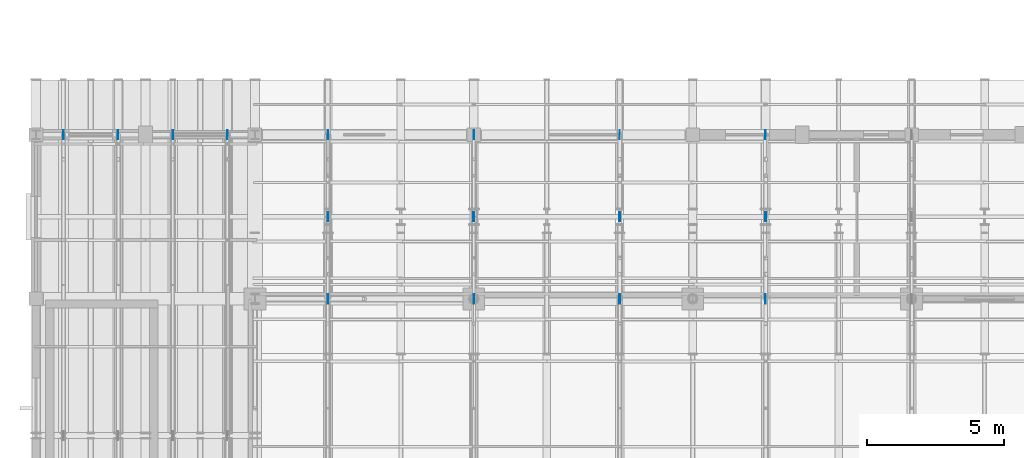
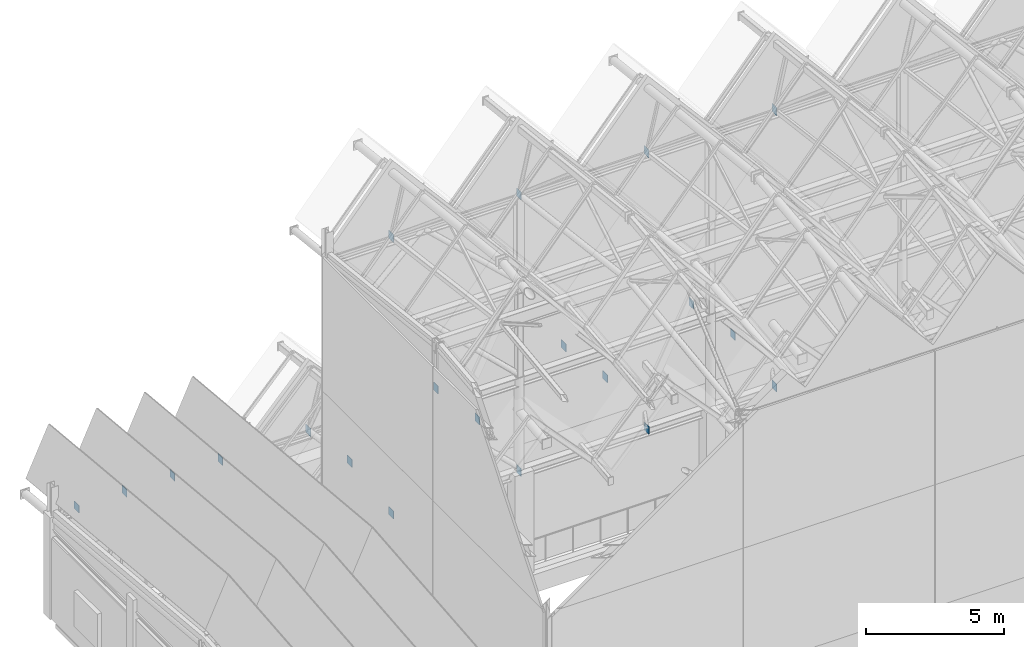
# One storey, part 26 of 48: 20 plates.
"""IFC4 building model written with IfcOpenShell, lengths in metres."""

from ifc_helpers import new_model, si_unit, direction, frame, origin, origin_2d, place, context, subcontext, project, spatial, rectangle, extrude, material, layer, layer_set, type_object, element, save


model = new_model("IFC4")

# Units and contexts
model_context = context("Model", 3, precision=1e-05, world=origin(), true_north=direction((0.0, 1.0)))
body_context = subcontext(model_context, "Body", "Model", "MODEL_VIEW")
ifc_project = project(units=[si_unit("LENGTHUNIT", "METRE"), si_unit("AREAUNIT", "SQUARE_METRE"), si_unit("VOLUMEUNIT", "CUBIC_METRE"), si_unit("PLANEANGLEUNIT", "RADIAN"), si_unit("MASSUNIT", "GRAM", prefix="KILO")], contexts=[model_context])

# Site, building, storey
site_placement = place(None, origin())
site = spatial("IfcSite", under=ifc_project, at=site_placement, CompositionType="ELEMENT")
building_placement = place(site_placement, origin())
building = spatial("IfcBuilding", under=site, at=building_placement, Name="Luwemba Playhouse", CompositionType="ELEMENT")
storey_placement = place(building_placement, frame((0.0, 0.0, 13.800048828125)))
storey = spatial("IfcBuildingStorey", under=building, at=storey_placement, Name="L03", CompositionType="ELEMENT", Elevation=13.800048828125)

# Plates
ifc_material = material(Name="Steel S355", Category="steel")
ifc_layer_1 = layer(ifc_material, 0.01611328125)
ifc_layer_set_1 = layer_set([ifc_layer_1], Name="Steel S355")
plate_type_1 = type_object("IfcPlateType", Name="PLT-GP1", PredefinedType="USERDEFINED", material=ifc_layer_set_1)
for number, where, z_axis, x_axis, name in (
    (1, (14.666748046875, 84.0, 16.4296875), (0.0, 0.0, 1.0), (1.0, 0.0, 0.0), "Truss node gusset cap plate 0024"),
    (2, (20.0, 84.0, 16.4296875), (0.0, 0.0, 1.0), (1.0, 0.0, 0.0), "Truss node gusset cap plate 0027"),
    (3, (25.333251953125, 84.0, 16.4296875), (0.0, 0.0, 1.0), (1.0, 0.0, 0.0), "Truss node gusset cap plate 0030"),
    (4, (30.666748046875, 84.0, 16.4296875), (0.0, 0.0, 1.0), (1.0, 0.0, 0.0), "Truss node gusset cap plate 0033"),
    (5, (5.0, 90.0, 4.22998046875), (0.0, 0.0, 1.0), (1.0, 0.0, 0.0), "Truss node gusset cap plate 0042"),
    (6, (7.0, 90.0, 4.22998046875), (0.0, 0.0, 1.0), (1.0, 0.0, 0.0), "Truss node gusset cap plate 0045"),
    (7, (9.0, 90.0, 4.22998046875), (0.0, 0.0, 1.0), (1.0, 0.0, 0.0), "Truss node gusset cap plate 0048"),
    (8, (11.0, 90.0, 4.22998046875), (0.0, 0.0, 1.0), (1.0, 0.0, 0.0), "Truss node gusset cap plate 0051"),
    (9, (14.666748046875, 90.0, 4.22998046875), (0.0, 0.0, 1.0), (1.0, 0.0, 0.0), "Truss node gusset cap plate 0054"),
    (10, (20.0, 90.0, 4.22998046875), (0.0, 0.0, 1.0), (1.0, 0.0, 0.0), "Truss node gusset cap plate 0057"),
    (11, (25.333251953125, 90.0, 4.22998046875), (0.0, 0.0, 1.0), (1.0, 0.0, 0.0), "Truss node gusset cap plate 0060"),
    (12, (30.666748046875, 90.0, 4.22998046875), (0.0, 0.0, 1.0), (1.0, 0.0, 0.0), "Truss node gusset cap plate 0063"),
):
    element("IfcPlate", number, at=place(storey_placement, frame(where, z_axis=z_axis, x_axis=x_axis)), inside=storey, type_object=plate_type_1, Name=name, ObjectType="GUSSET PLATE", PredefinedType="USERDEFINED", context=body_context, shape_type="SweptSolid", body=[
        extrude(rectangle(XDim=0.01611328125, YDim=0.340087890625, at=origin_2d()), origin(), (0.0, 0.0, 1.0), 0.340087890625),
    ])
ifc_layer_2 = layer(ifc_material, 0.02001953125)
ifc_layer_set_2 = layer_set([ifc_layer_2], Name="Steel S355")
plate_type_2 = type_object("IfcPlateType", Name="PLT-GP2", PredefinedType="USERDEFINED", material=ifc_layer_set_2)
for number, where, z_axis, x_axis, name in (
    (13, (14.666748046875, 84.0, 4.22998046875), (0.0, 0.0, 1.0), (1.0, 0.0, 0.0), "Truss node gusset cap plate 0052"),
    (14, (20.0, 84.0, 4.22998046875), (0.0, 0.0, 1.0), (1.0, 0.0, 0.0), "Truss node gusset cap plate 0055"),
    (15, (25.333251953125, 84.0, 4.22998046875), (0.0, 0.0, 1.0), (1.0, 0.0, 0.0), "Truss node gusset cap plate 0058"),
    (16, (30.666748046875, 84.0, 4.22998046875), (0.0, 0.0, 1.0), (1.0, 0.0, 0.0), "Truss node gusset cap plate 0061"),
):
    element("IfcPlate", number, at=place(storey_placement, frame(where, z_axis=z_axis, x_axis=x_axis)), inside=storey, type_object=plate_type_2, Name=name, ObjectType="GUSSET PLATE", PredefinedType="USERDEFINED", context=body_context, shape_type="SweptSolid", body=[
        extrude(rectangle(XDim=0.02001953125, YDim=0.340087890625, at=origin_2d()), origin(), (0.0, 0.0, 1.0), 0.340087890625),
    ])
ifc_layer_3 = layer(ifc_material, 0.02490234375)
ifc_layer_set_3 = layer_set([ifc_layer_3], Name="Steel S355")
plate_type_3 = type_object("IfcPlateType", Name="PLT-GP3", PredefinedType="USERDEFINED", material=ifc_layer_set_3)
for number, where, z_axis, x_axis, name in (
    (17, (14.666748046875, 87.0, 4.6865234375), (0.0, 0.0, 1.0), (1.0, 0.0, 0.0), "Truss node gusset cap plate 0053"),
    (18, (20.0, 87.0, 4.6865234375), (0.0, 0.0, 1.0), (1.0, 0.0, 0.0), "Truss node gusset cap plate 0056"),
    (19, (25.333251953125, 87.0, 4.6865234375), (0.0, 0.0, 1.0), (1.0, 0.0, 0.0), "Truss node gusset cap plate 0059"),
    (20, (30.666748046875, 87.0, 4.6865234375), (0.0, 0.0, 1.0), (1.0, 0.0, 0.0), "Truss node gusset cap plate 0062"),
):
    element("IfcPlate", number, at=place(storey_placement, frame(where, z_axis=z_axis, x_axis=x_axis)), inside=storey, type_object=plate_type_3, Name=name, ObjectType="GUSSET PLATE", PredefinedType="USERDEFINED", context=body_context, shape_type="SweptSolid", body=[
        extrude(rectangle(XDim=0.02490234375, YDim=0.340087890625, at=origin_2d()), origin(), (0.0, 0.0, 1.0), 0.340087890625),
    ])

save(model, "model.ifc")
